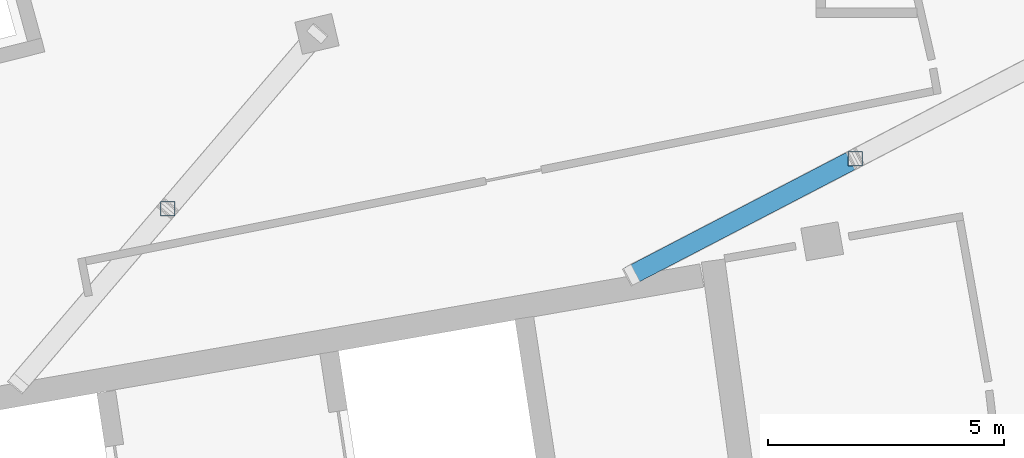
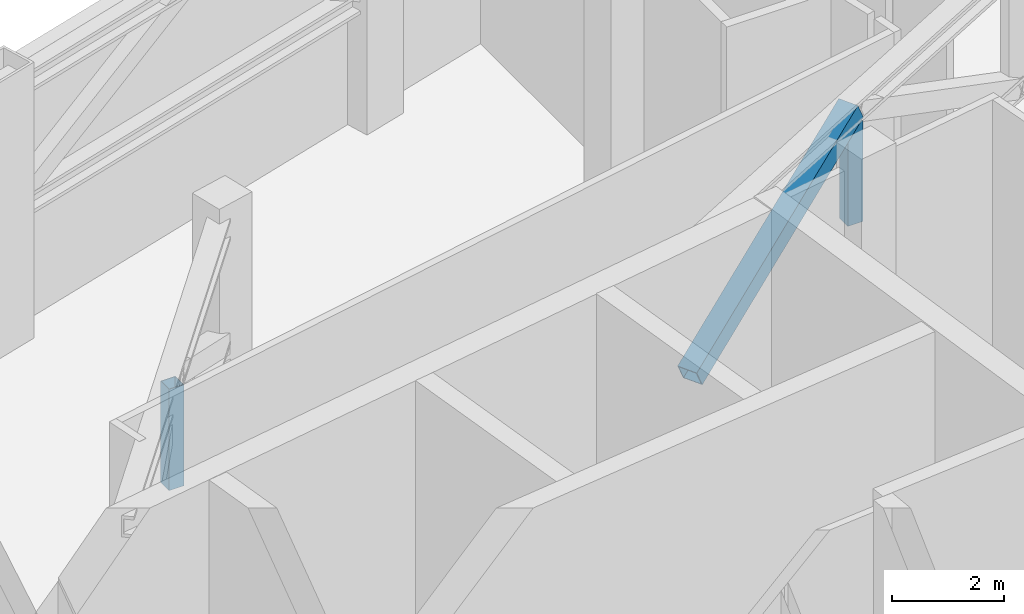
# One storey, part 10 of 23: 3 members.
"""IFC4 building model written with IfcOpenShell, lengths in metres."""

from ifc_helpers import new_model, si_unit, direction, frame, origin, origin_2d, place, context, subcontext, project, spatial, hollow_rectangle, extrude, material, material_profile, profile_set, type_object, element, save


model = new_model("IFC4")

# Units and contexts
model_context = context("Model", 3, precision=1e-05, world=origin(), true_north=direction((0.0, 1.0)))
body_context = subcontext(model_context, "Body", "Model", "MODEL_VIEW")
ifc_project = project(units=[si_unit("LENGTHUNIT", "METRE"), si_unit("AREAUNIT", "SQUARE_METRE"), si_unit("VOLUMEUNIT", "CUBIC_METRE"), si_unit("PLANEANGLEUNIT", "RADIAN"), si_unit("MASSUNIT", "GRAM", prefix="KILO")], contexts=[model_context])

# Site, building, storey
site_placement = place(None, origin())
site = spatial("IfcSite", under=ifc_project, at=site_placement, CompositionType="ELEMENT")
building_placement = place(site_placement, origin())
building = spatial("IfcBuilding", under=site, at=building_placement, Name="Alderwake Tower", CompositionType="ELEMENT")
storey_placement = place(building_placement, frame((0.0, 0.0, 239.60009765625)))
storey = spatial("IfcBuildingStorey", under=building, at=storey_placement, Name="L59", CompositionType="ELEMENT", Elevation=239.60009765625)

# Members
ifc_material_1 = material(Name="Steel ASTM A500 Grade C", Category="steel")
ifc_material_profile_1 = material_profile(ifc_material_1, hollow_rectangle(XDim=0.406494140625, YDim=0.406494140625, WallThickness=0.014892578125, at=origin_2d()), Name="HSS16X16X5/8")
ifc_profile_set_1 = profile_set([ifc_material_profile_1], Name="Steel ASTM A500 Grade C")
member_type_1 = type_object("IfcMemberType", Name="Outrigger truss diagonal HSS16X16X5/8", PredefinedType="BRACE", material=ifc_profile_set_1)
member_placement = place(storey_placement, frame((29.993896484375, 80.447998046875, 2.7822265625), z_axis=(0.793718676682, 0.412957905388, 0.446627843582), x_axis=(-0.461549965469, 0.887114214391, 0.0)))
element("IfcMember", 1, at=member_placement, inside=storey, type_object=member_type_1, Name="Outrigger truss diagonal OR59NF.D1", PredefinedType="BRACE", context=body_context, shape_type="SweptSolid", body=[
    extrude(hollow_rectangle(XDim=0.406494140625, YDim=0.406494140625, WallThickness=0.014892578125, at=origin_2d()), origin(), (0.0, 0.0, 1.0), 5.967529296875),
])
ifc_material_2 = material(Name="Steel ASTM A500 Grade C", Category="steel")
ifc_material_profile_2 = material_profile(ifc_material_2, hollow_rectangle(XDim=0.3046875, YDim=0.3046875, WallThickness=0.01171875, at=origin_2d()), Name="HSS12X12X1/2")
ifc_profile_set_2 = profile_set([ifc_material_profile_2], Name="Steel ASTM A500 Grade C")
member_type_2 = type_object("IfcMemberType", Name="Outrigger truss post HSS12X12X1/2", PredefinedType="POST", material=ifc_profile_set_2)
for number, where, z_axis, x_axis, name in (
    (2, (20.15869140625, 81.852783203125, 3.014404296875), (0.0, 0.0, 1.0), (1.0, 0.0, 0.0), "Outrigger truss post OR59NR.P1"),
    (3, (34.73046875, 82.912353515625, 3.014404296875), (0.0, 0.0, 1.0), (1.0, 0.0, 0.0), "Outrigger truss post OR59NF.P1"),
):
    element("IfcMember", number, at=place(storey_placement, frame(where, z_axis=z_axis, x_axis=x_axis)), inside=storey, type_object=member_type_2, Name=name, PredefinedType="POST", context=body_context, shape_type="SweptSolid", body=[
        extrude(hollow_rectangle(XDim=0.3046875, YDim=0.3046875, WallThickness=0.01171875, at=origin_2d()), origin(), (0.0, 0.0, 1.0), 2.200927734375),
    ])

save(model, "model.ifc")
